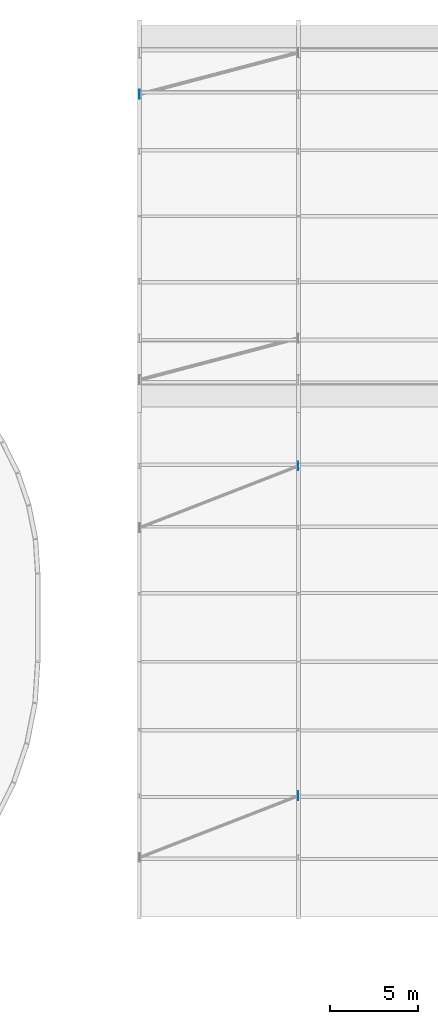
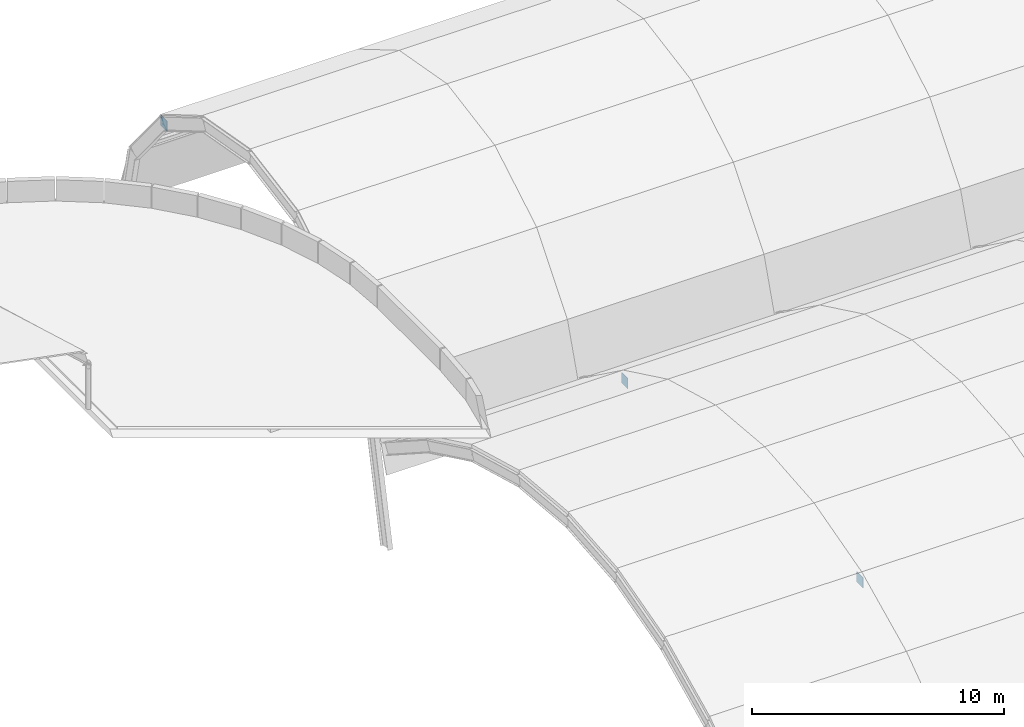
# One storey, part 8 of 15: 3 plates.
"""IFC4 building model written with IfcOpenShell, lengths in metres."""

from ifc_helpers import new_model, si_unit, direction, frame, origin, origin_2d, place, context, subcontext, project, spatial, rectangle, extrude, material, layer, layer_set, type_object, element, save


model = new_model("IFC4")

# Units and contexts
model_context = context("Model", 3, precision=1e-05, world=origin(), true_north=direction((0.0, 1.0)))
body_context = subcontext(model_context, "Body", "Model", "MODEL_VIEW")
ifc_project = project(units=[si_unit("LENGTHUNIT", "METRE"), si_unit("AREAUNIT", "SQUARE_METRE"), si_unit("VOLUMEUNIT", "CUBIC_METRE"), si_unit("PLANEANGLEUNIT", "RADIAN"), si_unit("MASSUNIT", "GRAM", prefix="KILO")], contexts=[model_context])

# Site, building, storey
site_placement = place(None, origin())
site = spatial("IfcSite", under=ifc_project, at=site_placement, CompositionType="ELEMENT")
building_placement = place(site_placement, origin())
building = spatial("IfcBuilding", under=site, at=building_placement, Name="Cendralis Terraced Arcade", CompositionType="ELEMENT")
storey_placement = place(building_placement, frame((0.0, 0.0, 34.199951171875)))
storey = spatial("IfcBuildingStorey", under=building, at=storey_placement, Name="RF", CompositionType="ELEMENT", Elevation=34.199951171875)

# Plates
ifc_material = material(Name="Steel ASTM A572 Grade 50", Category="steel")
ifc_layer = layer(ifc_material, 0.01806640625, Name="PLT-GUS-500x500x18")
ifc_layer_set = layer_set([ifc_layer], Name="Steel ASTM A572 Grade 50")
plate_type = type_object("IfcPlateType", Name="PLT-GUS-500x500x18", PredefinedType="SHEET", material=ifc_layer_set)
for number, where, z_axis, x_axis, name in (
    (1, (67.215087890625, 56.093505859375, -9.736083984375), (0.0, 0.0, 1.0), (1.0, 0.0, 0.0), "Shopping Arcade Wind Brace End Node Plate B01-K7-1"),
    (2, (76.18505859375, 16.415283203125, -10.923828125), (0.0, 0.0, 1.0), (1.0, 0.0, 0.0), "Gourmet Food Hall Wind Brace End Node Plate B01-K2-2"),
    (3, (76.18505859375, 35.072021484375, -12.6015625), (0.0, 0.0, 1.0), (1.0, 0.0, 0.0), "Gourmet Food Hall Wind Brace End Node Plate B01-K7-2"),
):
    element("IfcPlate", number, at=place(storey_placement, frame(where, z_axis=z_axis, x_axis=x_axis)), inside=storey, type_object=plate_type, Name=name, PredefinedType="SHEET", context=body_context, shape_type="SweptSolid", body=[
        extrude(rectangle(XDim=0.01806640625, YDim=0.5, at=origin_2d()), origin(), (0.0, 0.0, 1.0), 0.5),
    ])

save(model, "model.ifc")
